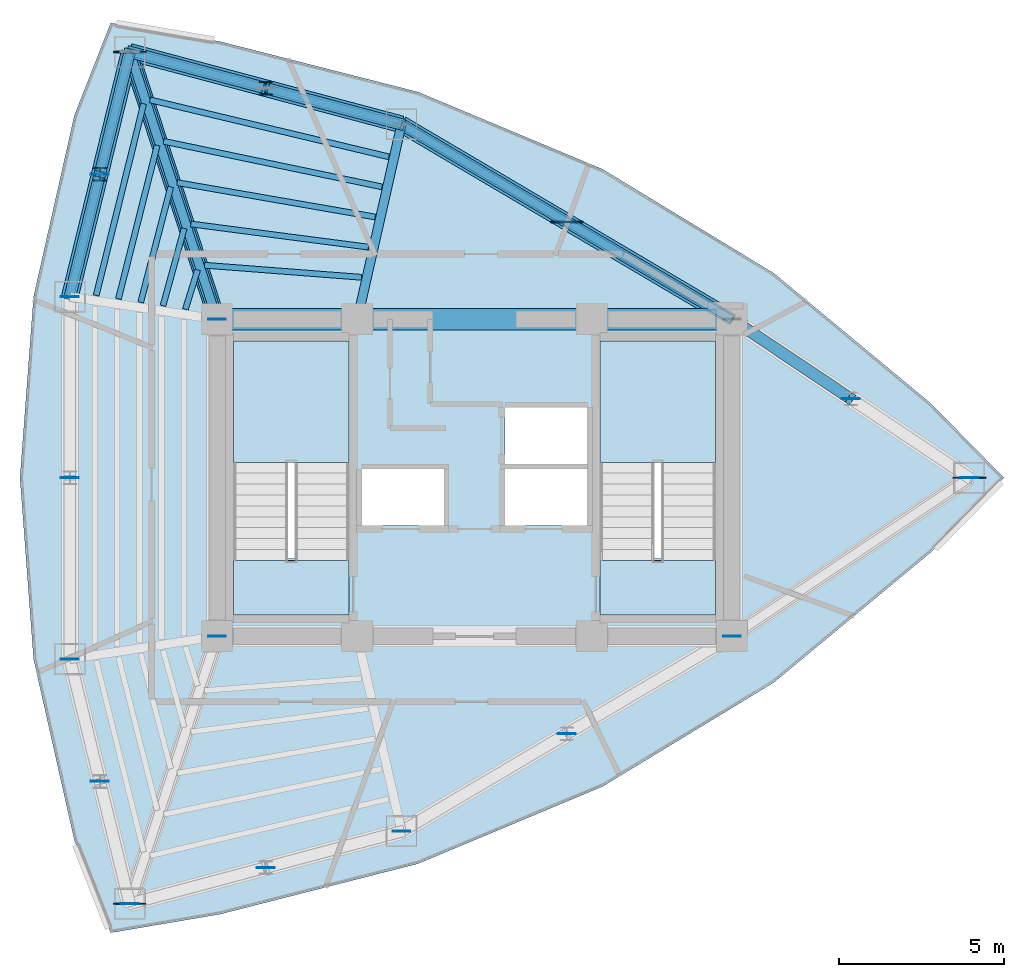
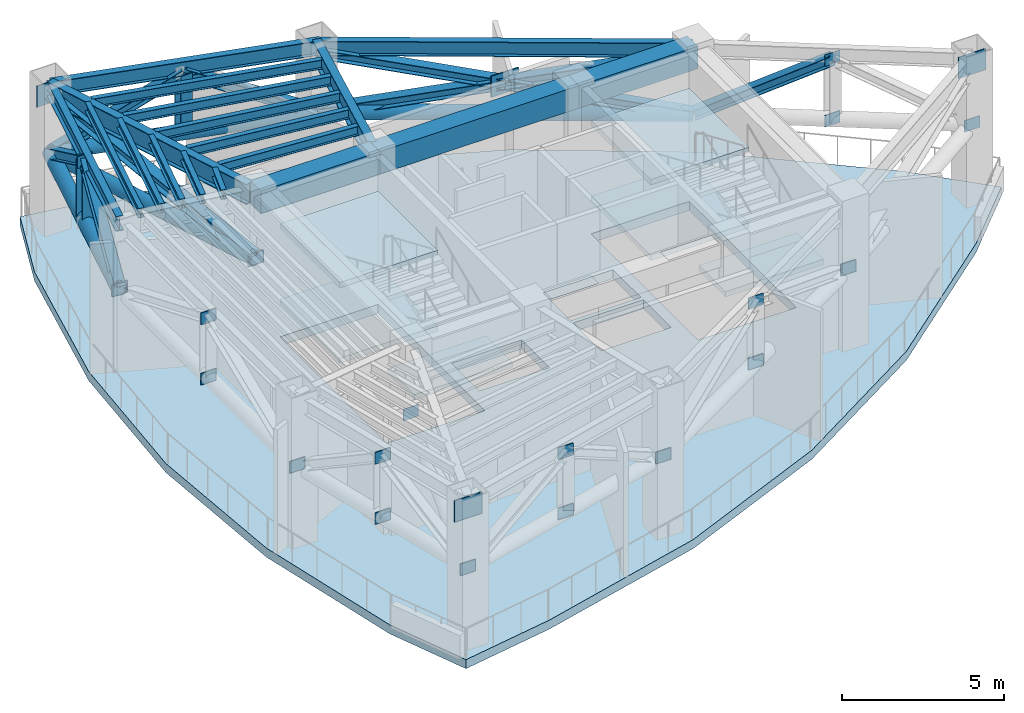
# One storey, part 2 of 6: 23 plates, 18 beams, 15 members, 7 slabs, 2 elements without a shape of their own.
"""IFC4 building model written with IfcOpenShell, lengths in metres."""

from ifc_helpers import new_model, si_unit, direction, frame, origin, origin_2d, place, context, subcontext, project, spatial, polyline, rectangle, hollow_circle, i_section, outline, extrude, material, layer, layer_set, material_profile, profile_set, type_object, element, aggregate, save


model = new_model("IFC4")

# Units and contexts
model_context = context("Model", 3, precision=1e-05, world=origin(), true_north=direction((0.0, 1.0)))
body_context = subcontext(model_context, "Body", "Model", "MODEL_VIEW")
ifc_project = project(units=[si_unit("LENGTHUNIT", "METRE"), si_unit("AREAUNIT", "SQUARE_METRE"), si_unit("VOLUMEUNIT", "CUBIC_METRE"), si_unit("PLANEANGLEUNIT", "RADIAN"), si_unit("MASSUNIT", "GRAM", prefix="KILO")], contexts=[model_context])

# Site, building, storey
site_placement = place(None, origin())
site = spatial("IfcSite", under=ifc_project, at=site_placement, CompositionType="ELEMENT")
building_placement = place(site_placement, origin())
building = spatial("IfcBuilding", under=site, at=building_placement, Name="Menara Vayukalpa", CompositionType="ELEMENT")
storey_placement = place(building_placement, frame((0.0, 0.0, 213.840087890625)))
storey = spatial("IfcBuildingStorey", under=building, at=storey_placement, Name="L54", CompositionType="ELEMENT", Elevation=213.840087890625)

# Beams
ifc_material_1 = material(Name="Concrete C60/75", Category="concrete")
ifc_material_profile_1 = material_profile(ifc_material_1, rectangle(XDim=0.64990234375, YDim=0.85009765625, at=origin_2d()), Name="RC 650x850")
ifc_profile_set_1 = profile_set([ifc_material_profile_1], Name="Concrete C60/75")
beam_type_1 = type_object("IfcBeamType", Name="BM-CB1", PredefinedType="BEAM", material=ifc_profile_set_1)
beam_1_placement = place(storey_placement, frame((17.800048828125, 26.800048828125, 5.054931640625), z_axis=(1.0, 0.0, 0.0), x_axis=(0.0, 1.0, 0.0)))
element("IfcBeam", 1, at=beam_1_placement, inside=storey, type_object=beam_type_1, Name="L54 Core Tie Beam CBR4", PredefinedType="BEAM", context=body_context, shape_type="SweptSolid", body=[
    extrude(rectangle(XDim=0.64990234375, YDim=0.85009765625, at=origin_2d()), origin(), (0.0, 0.0, 1.0), 4.25),
])
beam_2_placement = place(storey_placement, frame((22.050048828125, 26.800048828125, 5.054931640625), z_axis=(1.0, 0.0, 0.0), x_axis=(0.0, 1.0, 0.0)))
element("IfcBeam", 2, at=beam_2_placement, inside=storey, type_object=beam_type_1, Name="L54 Core Tie Beam CBR5", PredefinedType="BEAM", context=body_context, shape_type="SweptSolid", body=[
    extrude(rectangle(XDim=0.64990234375, YDim=0.85009765625, at=origin_2d()), origin(), (0.0, 0.0, 1.0), 7.099853515625),
])
beam_3_placement = place(storey_placement, frame((29.14990234375, 26.800048828125, 5.054931640625), z_axis=(1.0, 0.0, 0.0), x_axis=(0.0, 1.0, 0.0)))
element("IfcBeam", 3, at=beam_3_placement, inside=storey, type_object=beam_type_1, Name="L54 Core Tie Beam CBR6", PredefinedType="BEAM", context=body_context, shape_type="SweptSolid", body=[
    extrude(rectangle(XDim=0.64990234375, YDim=0.85009765625, at=origin_2d()), origin(), (0.0, 0.0, 1.0), 4.25),
])
ifc_material_2 = material(Name="Steel S355", Category="steel")
ifc_material_profile_2 = material_profile(ifc_material_2, i_section(OverallWidth=0.280029296875, OverallDepth=0.75, WebThickness=0.013916015625, FlangeThickness=0.02490234375, at=origin_2d()), Name="WF 750x280x14x25")
ifc_profile_set_2 = profile_set([ifc_material_profile_2], Name="Steel S355")
beam_type_2 = type_object("IfcBeamType", Name="BM-PG4", PredefinedType="BEAM", material=ifc_profile_set_2)
beam_4_placement = place(storey_placement, frame((22.105224609375, 27.043701171875, 5.10498046875), z_axis=(0.221085149161, 0.975254508741, 0.0), x_axis=(-0.975254508741, 0.221085149161, 0.0)))
element("IfcBeam", 4, at=beam_4_placement, inside=storey, type_object=beam_type_2, Name="L54 Primary Radial Girder RG03", PredefinedType="BEAM", context=body_context, shape_type="SweptSolid", body=[
    extrude(i_section(OverallWidth=0.280029296875, OverallDepth=0.75, WebThickness=0.013916015625, FlangeThickness=0.02490234375, at=origin_2d()), origin(), (0.0, 0.0, 1.0), 5.80859375),
])
beam_5_placement = place(storey_placement, frame((17.722412109375, 27.03759765625, 5.10498046875), z_axis=(-0.310343552153, 0.950624468251, 0.0), x_axis=(-0.950624468251, -0.310343552153, 0.0)))
element("IfcBeam", 5, at=beam_5_placement, inside=storey, type_object=beam_type_2, Name="L54 Primary Radial Girder RG04", PredefinedType="BEAM", context=body_context, shape_type="SweptSolid", body=[
    extrude(i_section(OverallWidth=0.280029296875, OverallDepth=0.75, WebThickness=0.013916015625, FlangeThickness=0.02490234375, at=origin_2d()), origin(), (0.0, 0.0, 1.0), 8.2734375),
])
ifc_material_3 = material(Name="Steel S355", Category="steel")
ifc_material_profile_3 = material_profile(ifc_material_3, i_section(OverallWidth=0.175048828125, OverallDepth=0.35009765625, WebThickness=0.007080078125, FlangeThickness=0.010986328125, at=origin_2d()), Name="WF 350x175x7x11")
ifc_profile_set_3 = profile_set([ifc_material_profile_3], Name="Steel S355")
beam_type_3 = type_object("IfcBeamType", Name="BM-SJ3", PredefinedType="JOIST", material=ifc_profile_set_3)
beam_6_placement = place(storey_placement, frame((22.177001953125, 28.07568359375, 5.304931640625), z_axis=(-0.997061705182, 0.076602585202, 0.0), x_axis=(-0.076602585202, -0.997061705182, 0.0)))
element("IfcBeam", 6, at=beam_6_placement, inside=storey, type_object=beam_type_3, Name="L54 Secondary Floor Joist SJ03-1", PredefinedType="JOIST", context=body_context, shape_type="SweptSolid", body=[
    extrude(i_section(OverallWidth=0.175048828125, OverallDepth=0.35009765625, WebThickness=0.007080078125, FlangeThickness=0.010986328125, at=origin_2d()), origin(), (0.0, 0.0, 1.0), 4.77099609375),
])
beam_7_placement = place(storey_placement, frame((22.38330078125, 28.990478515625, 5.304931640625), z_axis=(-0.99161070493, 0.129260240866, 0.0), x_axis=(-0.129260240866, -0.99161070493, 0.0)))
element("IfcBeam", 7, at=beam_7_placement, inside=storey, type_object=beam_type_3, Name="L54 Secondary Floor Joist SJ03-2", PredefinedType="JOIST", context=body_context, shape_type="SweptSolid", body=[
    extrude(i_section(OverallWidth=0.175048828125, OverallDepth=0.35009765625, WebThickness=0.007080078125, FlangeThickness=0.010986328125, at=origin_2d()), origin(), (0.0, 0.0, 1.0), 5.420654296875),
])
beam_8_placement = place(storey_placement, frame((22.589599609375, 29.9033203125, 5.304931640625), z_axis=(-0.985288833054, 0.170897382832, 0.0), x_axis=(-0.170897382832, -0.985288833054, 0.0)))
element("IfcBeam", 8, at=beam_8_placement, inside=storey, type_object=beam_type_3, Name="L54 Secondary Floor Joist SJ03-3", PredefinedType="JOIST", context=body_context, shape_type="SweptSolid", body=[
    extrude(i_section(OverallWidth=0.175048828125, OverallDepth=0.35009765625, WebThickness=0.007080078125, FlangeThickness=0.010986328125, at=origin_2d()), origin(), (0.0, 0.0, 1.0), 6.0830078125),
])
beam_9_placement = place(storey_placement, frame((22.796142578125, 30.815185546875, 5.304931640625), z_axis=(-0.97888709748, 0.204401688806, 0.0), x_axis=(-0.204401688806, -0.97888709748, 0.0)))
element("IfcBeam", 9, at=beam_9_placement, inside=storey, type_object=beam_type_3, Name="L54 Secondary Floor Joist SJ03-4", PredefinedType="JOIST", context=body_context, shape_type="SweptSolid", body=[
    extrude(i_section(OverallWidth=0.175048828125, OverallDepth=0.35009765625, WebThickness=0.007080078125, FlangeThickness=0.010986328125, at=origin_2d()), origin(), (0.0, 0.0, 1.0), 6.75439453125),
])
beam_10_placement = place(storey_placement, frame((23.002685546875, 31.725830078125, 5.304931640625), z_axis=(-0.972731800574, 0.231932844055, 0.0), x_axis=(-0.231932844055, -0.972731800574, 0.0)))
element("IfcBeam", 10, at=beam_10_placement, inside=storey, type_object=beam_type_3, Name="L54 Secondary Floor Joist SJ03-5", PredefinedType="JOIST", context=body_context, shape_type="SweptSolid", body=[
    extrude(i_section(OverallWidth=0.175048828125, OverallDepth=0.35009765625, WebThickness=0.007080078125, FlangeThickness=0.010986328125, at=origin_2d()), origin(), (0.0, 0.0, 1.0), 7.4326171875),
])
beam_11_placement = place(storey_placement, frame((17.212890625, 28.300537109375, 5.304931640625), z_axis=(-0.296448419226, -0.955048865105, 0.0), x_axis=(0.955048865105, -0.296448419226, 0.0)))
element("IfcBeam", 11, at=beam_11_placement, inside=storey, type_object=beam_type_3, Name="L54 Secondary Floor Joist SJ04-1", PredefinedType="JOIST", context=body_context, shape_type="SweptSolid", body=[
    extrude(i_section(OverallWidth=0.175048828125, OverallDepth=0.35009765625, WebThickness=0.007080078125, FlangeThickness=0.010986328125, at=origin_2d()), origin(), (0.0, 0.0, 1.0), 1.24853515625),
])
beam_12_placement = place(storey_placement, frame((16.80712890625, 29.5576171875, 5.304931640625), z_axis=(-0.264502665082, -0.964384954344, 0.0), x_axis=(0.964384954344, -0.264502665082, 0.0)))
element("IfcBeam", 12, at=beam_12_placement, inside=storey, type_object=beam_type_3, Name="L54 Secondary Floor Joist SJ04-2", PredefinedType="JOIST", context=body_context, shape_type="SweptSolid", body=[
    extrude(i_section(OverallWidth=0.175048828125, OverallDepth=0.35009765625, WebThickness=0.007080078125, FlangeThickness=0.010986328125, at=origin_2d()), origin(), (0.0, 0.0, 1.0), 2.430419921875),
])
beam_13_placement = place(storey_placement, frame((16.398193359375, 30.815185546875, 5.304931640625), z_axis=(-0.251714869346, -0.967801438597, 0.0), x_axis=(0.967801438597, -0.251714869346, 0.0)))
element("IfcBeam", 13, at=beam_13_placement, inside=storey, type_object=beam_type_3, Name="L54 Secondary Floor Joist SJ04-3", PredefinedType="JOIST", context=body_context, shape_type="SweptSolid", body=[
    extrude(i_section(OverallWidth=0.175048828125, OverallDepth=0.35009765625, WebThickness=0.007080078125, FlangeThickness=0.010986328125, at=origin_2d()), origin(), (0.0, 0.0, 1.0), 3.61279296875),
])
beam_14_placement = place(storey_placement, frame((15.988525390625, 32.073486328125, 5.304931640625), z_axis=(-0.24483447751, -0.969564891393, 0.0), x_axis=(0.969564891393, -0.24483447751, 0.0)))
element("IfcBeam", 14, at=beam_14_placement, inside=storey, type_object=beam_type_3, Name="L54 Secondary Floor Joist SJ04-4", PredefinedType="JOIST", context=body_context, shape_type="SweptSolid", body=[
    extrude(i_section(OverallWidth=0.175048828125, OverallDepth=0.35009765625, WebThickness=0.007080078125, FlangeThickness=0.010986328125, at=origin_2d()), origin(), (0.0, 0.0, 1.0), 4.79638671875),
])
beam_15_placement = place(storey_placement, frame((15.57861328125, 33.33154296875, 5.304931640625), z_axis=(-0.240556182956, -0.970635216156, 0.0), x_axis=(0.970635216156, -0.240556182956, 0.0)))
element("IfcBeam", 15, at=beam_15_placement, inside=storey, type_object=beam_type_3, Name="L54 Secondary Floor Joist SJ04-5", PredefinedType="JOIST", context=body_context, shape_type="SweptSolid", body=[
    extrude(i_section(OverallWidth=0.175048828125, OverallDepth=0.35009765625, WebThickness=0.007080078125, FlangeThickness=0.010986328125, at=origin_2d()), origin(), (0.0, 0.0, 1.0), 5.979736328125),
])
ifc_material_4 = material(Name="Steel S355", Category="steel")
ifc_material_profile_4 = material_profile(ifc_material_4, i_section(OverallWidth=0.239990234375, OverallDepth=0.550048828125, WebThickness=0.010986328125, FlangeThickness=0.01904296875, at=origin_2d()), Name="WF 550x240x11x19")
ifc_profile_set_4 = profile_set([ifc_material_profile_4], Name="Steel S355")
beam_type_4 = type_object("IfcBeamType", Name="BM-SP2", PredefinedType="SPANDREL", material=ifc_profile_set_4)
beam_16_placement = place(storey_placement, frame((33.39990234375, 26.800048828125, 5.204833984375), z_axis=(-0.861184403346, 0.508292655302, 0.0), x_axis=(-0.508292655302, -0.861184403346, 0.0)))
element("IfcBeam", 16, at=beam_16_placement, inside=storey, type_object=beam_type_4, Name="L54 Perimeter Spandrel Beam SP02", PredefinedType="SPANDREL", context=body_context, shape_type="SweptSolid", body=[
    extrude(i_section(OverallWidth=0.239990234375, OverallDepth=0.550048828125, WebThickness=0.010986328125, FlangeThickness=0.01904296875, at=origin_2d()), origin(), (0.0, 0.0, 1.0), 11.6240234375),
])
beam_17_placement = place(storey_placement, frame((23.389404296875, 32.70849609375, 5.204833984375), z_axis=(-0.966287699272, 0.25746472037, 0.0), x_axis=(-0.25746472037, -0.966287699272, 0.0)))
element("IfcBeam", 17, at=beam_17_placement, inside=storey, type_object=beam_type_4, Name="L54 Perimeter Spandrel Beam SP03", PredefinedType="SPANDREL", context=body_context, shape_type="SweptSolid", body=[
    extrude(i_section(OverallWidth=0.239990234375, OverallDepth=0.550048828125, WebThickness=0.010986328125, FlangeThickness=0.01904296875, at=origin_2d()), origin(), (0.0, 0.0, 1.0), 8.52197265625),
])
beam_18_placement = place(storey_placement, frame((15.15478515625, 34.902587890625, 5.204833984375), z_axis=(-0.237285374413, -0.971439988414, 0.0), x_axis=(0.971439988414, -0.237285374413, 0.0)))
element("IfcBeam", 18, at=beam_18_placement, inside=storey, type_object=beam_type_4, Name="L54 Perimeter Spandrel Beam SP04", PredefinedType="SPANDREL", context=body_context, shape_type="SweptSolid", body=[
    extrude(i_section(OverallWidth=0.239990234375, OverallDepth=0.550048828125, WebThickness=0.010986328125, FlangeThickness=0.01904296875, at=origin_2d()), origin(), (0.0, 0.0, 1.0), 7.63134765625),
])

# Members
ifc_material_5 = material(Name="Steel S355", Category="steel")
ifc_material_profile_5 = material_profile(ifc_material_5, i_section(OverallWidth=0.35009765625, OverallDepth=0.35009765625, WebThickness=0.011962890625, FlangeThickness=0.01904296875, at=origin_2d()), Name="H 350x350x12x19")
ifc_profile_set_5 = profile_set([ifc_material_profile_5], Name="Steel S355")
member_type_1 = type_object("IfcMemberType", Name="MEM-BT1", PredefinedType="BRACE", material=ifc_profile_set_5)
member_1_placement = place(storey_placement, frame((33.39990234375, 26.800048828125, 2.75), z_axis=(0.73563771108, -0.491107859407, 0.466529986675), x_axis=(0.555234449859, 0.831693877391, 0.0)))
element("IfcMember", 19, at=member_1_placement, inside=storey, type_object=member_type_1, Name="L54 Belt Truss Diagonal B01", PredefinedType="BRACE", context=body_context, shape_type="SweptSolid", body=[
    extrude(i_section(OverallWidth=0.35009765625, OverallDepth=0.35009765625, WebThickness=0.011962890625, FlangeThickness=0.01904296875, at=origin_2d()), origin(), (0.0, 0.0, 1.0), 4.88720703125),
])
member_2_placement = place(storey_placement, frame((33.39990234375, 26.800048828125, 2.75), z_axis=(-0.845081208515, 0.498788145435, 0.192478926087), x_axis=(-0.508292655302, -0.861184403346, 0.0)))
element("IfcMember", 20, at=member_2_placement, inside=storey, type_object=member_type_1, Name="L54 Belt X-Brace Continuous Diagonal 02", PredefinedType="BRACE", context=body_context, shape_type="SweptSolid", body=[
    extrude(i_section(OverallWidth=0.35009765625, OverallDepth=0.35009765625, WebThickness=0.011962890625, FlangeThickness=0.01904296875, at=origin_2d()), origin(), (0.0, 0.0, 1.0), 11.845703125),
])
member_3_placement = place(storey_placement, frame((23.389404296875, 32.70849609375, 2.75), z_axis=(0.845081764298, -0.498796918826, 0.192453748781), x_axis=(0.508299038007, 0.861180636081, 0.0)))
element("IfcMember", 21, at=member_3_placement, inside=storey, type_object=member_type_1, Name="L54 Belt X-Brace Split Lower Diagonal 02A", PredefinedType="BRACE", context=body_context, shape_type="SweptSolid", body=[
    extrude(i_section(OverallWidth=0.35009765625, OverallDepth=0.35009765625, WebThickness=0.011962890625, FlangeThickness=0.01904296875, at=origin_2d()), origin(), (0.0, 0.0, 1.0), 5.9228515625),
])
member_4_placement = place(storey_placement, frame((28.394775390625, 29.754150390625, 3.889892578125), z_axis=(0.845080652105, -0.498779371273, 0.19250410445), x_axis=(0.508286272203, 0.861188170779, 0.0)))
element("IfcMember", 22, at=member_4_placement, inside=storey, type_object=member_type_1, Name="L54 Belt X-Brace Split Upper Diagonal 02B", PredefinedType="BRACE", context=body_context, shape_type="SweptSolid", body=[
    extrude(i_section(OverallWidth=0.35009765625, OverallDepth=0.35009765625, WebThickness=0.011962890625, FlangeThickness=0.01904296875, at=origin_2d()), origin(), (0.0, 0.0, 1.0), 5.922607421875),
])
member_5_placement = place(storey_placement, frame((23.389404296875, 32.70849609375, 2.75), z_axis=(-0.851979662485, 0.226989126159, 0.471812029646), x_axis=(-0.25744509745, -0.966292927532, 0.0)))
element("IfcMember", 23, at=member_5_placement, inside=storey, type_object=member_type_1, Name="L54 Belt Truss Diagonal A03", PredefinedType="BRACE", context=body_context, shape_type="SweptSolid", body=[
    extrude(i_section(OverallWidth=0.35009765625, OverallDepth=0.35009765625, WebThickness=0.011962890625, FlangeThickness=0.01904296875, at=origin_2d()), origin(), (0.0, 0.0, 1.0), 4.83251953125),
])
member_6_placement = place(storey_placement, frame((15.15478515625, 34.902587890625, 2.75), z_axis=(0.851983740415, -0.227027271238, 0.471786311992), x_axis=(0.257484341808, 0.96628247098, 0.0)))
element("IfcMember", 24, at=member_6_placement, inside=storey, type_object=member_type_1, Name="L54 Belt Truss Diagonal B03", PredefinedType="BRACE", context=body_context, shape_type="SweptSolid", body=[
    extrude(i_section(OverallWidth=0.35009765625, OverallDepth=0.35009765625, WebThickness=0.011962890625, FlangeThickness=0.01904296875, at=origin_2d()), origin(), (0.0, 0.0, 1.0), 4.832763671875),
])
member_7_placement = place(storey_placement, frame((15.15478515625, 34.902587890625, 2.75), z_axis=(-0.203659523443, -0.833916543806, 0.512938589383), x_axis=(0.971449163216, -0.237247809867, 0.0)))
element("IfcMember", 25, at=member_7_placement, inside=storey, type_object=member_type_1, Name="L54 Belt Truss Diagonal A04", PredefinedType="BRACE", context=body_context, shape_type="SweptSolid", body=[
    extrude(i_section(OverallWidth=0.35009765625, OverallDepth=0.35009765625, WebThickness=0.011962890625, FlangeThickness=0.01904296875, at=origin_2d()), origin(), (0.0, 0.0, 1.0), 4.445068359375),
])
member_8_placement = place(storey_placement, frame((13.343994140625, 27.4892578125, 2.75), z_axis=(0.203721499427, 0.83389048377, 0.512956344877), x_axis=(-0.971430811728, 0.23732294037, 0.0)))
element("IfcMember", 26, at=member_8_placement, inside=storey, type_object=member_type_1, Name="L54 Belt Truss Diagonal B04", PredefinedType="BRACE", context=body_context, shape_type="SweptSolid", body=[
    extrude(i_section(OverallWidth=0.35009765625, OverallDepth=0.35009765625, WebThickness=0.011962890625, FlangeThickness=0.01904296875, at=origin_2d()), origin(), (0.0, 0.0, 1.0), 4.44482421875),
])
ifc_material_6 = material(Name="Steel S460", Category="steel")
ifc_material_profile_6 = material_profile(ifc_material_6, hollow_circle(Radius=0.25390625, WallThickness=0.02490234375, at=origin_2d()), Name="CHS 508.0x25")
ifc_profile_set_6 = profile_set([ifc_material_profile_6], Name="Steel S460")
member_type_2 = type_object("IfcMemberType", Name="MEM-CH1", PredefinedType="CHORD", material=ifc_profile_set_6)
member_9_placement = place(storey_placement, frame((17.800048828125, 26.800048828125, 2.75), z_axis=(-0.310352655001, 0.950621496461, 0.0), x_axis=(-0.950621496461, -0.310352655001, 0.0)))
element("IfcMember", 27, at=member_9_placement, inside=storey, type_object=member_type_2, Name="L54 Outrigger Bottom Chord 04", PredefinedType="CHORD", context=body_context, shape_type="SweptSolid", body=[
    extrude(hollow_circle(Radius=0.25390625, WallThickness=0.02490234375, at=origin_2d()), origin(), (0.0, 0.0, 1.0), 8.5234375),
])
member_10_placement = place(storey_placement, frame((33.39990234375, 26.800048828125, 2.75), z_axis=(-0.861184403346, 0.508292655302, 0.0), x_axis=(-0.508292655302, -0.861184403346, 0.0)))
element("IfcMember", 28, at=member_10_placement, inside=storey, type_object=member_type_2, Name="L54 Belt Truss Bottom Chord 02", PredefinedType="CHORD", context=body_context, shape_type="SweptSolid", body=[
    extrude(hollow_circle(Radius=0.25390625, WallThickness=0.02490234375, at=origin_2d()), origin(), (0.0, 0.0, 1.0), 11.6240234375),
])
member_11_placement = place(storey_placement, frame((23.389404296875, 32.70849609375, 2.75), z_axis=(-0.966287699272, 0.25746472037, 0.0), x_axis=(-0.25746472037, -0.966287699272, 0.0)))
element("IfcMember", 29, at=member_11_placement, inside=storey, type_object=member_type_2, Name="L54 Belt Truss Bottom Chord 03", PredefinedType="CHORD", context=body_context, shape_type="SweptSolid", body=[
    extrude(hollow_circle(Radius=0.25390625, WallThickness=0.02490234375, at=origin_2d()), origin(), (0.0, 0.0, 1.0), 8.52197265625),
])
member_12_placement = place(storey_placement, frame((15.15478515625, 34.902587890625, 2.75), z_axis=(-0.237285374413, -0.971439988414, 0.0), x_axis=(0.971439988414, -0.237285374413, 0.0)))
element("IfcMember", 30, at=member_12_placement, inside=storey, type_object=member_type_2, Name="L54 Belt Truss Bottom Chord 04", PredefinedType="CHORD", context=body_context, shape_type="SweptSolid", body=[
    extrude(hollow_circle(Radius=0.25390625, WallThickness=0.02490234375, at=origin_2d()), origin(), (0.0, 0.0, 1.0), 7.63134765625),
])
ifc_material_7 = material(Name="Steel S460", Category="steel")
ifc_material_profile_7 = material_profile(ifc_material_7, i_section(OverallWidth=0.39990234375, OverallDepth=0.39990234375, WebThickness=0.012939453125, FlangeThickness=0.02099609375, at=origin_2d()), Name="H 400x400x13x21")
ifc_profile_set_7 = profile_set([ifc_material_profile_7], Name="Steel S460")
member_type_3 = type_object("IfcMemberType", Name="MEM-OT3", PredefinedType="BRACE", material=ifc_profile_set_7)
member_13_placement = place(storey_placement, frame((17.800048828125, 26.800048828125, 2.75), z_axis=(-0.299811141948, 0.918332457682, 0.258415897984), x_axis=(-0.950621496461, -0.310352655001, 0.0)))
element("IfcMember", 31, at=member_13_placement, inside=storey, type_object=member_type_3, Name="L54 Outrigger Truss Diagonal 04", PredefinedType="BRACE", context=body_context, shape_type="SweptSolid", body=[
    extrude(i_section(OverallWidth=0.39990234375, OverallDepth=0.39990234375, WebThickness=0.012939453125, FlangeThickness=0.02099609375, at=origin_2d()), origin(), (0.0, 0.0, 1.0), 8.822998046875),
])
ifc_material_8 = material(Name="Steel S355", Category="steel")
ifc_material_profile_8 = material_profile(ifc_material_8, i_section(OverallWidth=0.39990234375, OverallDepth=0.39990234375, WebThickness=0.012939453125, FlangeThickness=0.02099609375, at=origin_2d()), Name="H 400x400x13x21")
ifc_profile_set_8 = profile_set([ifc_material_profile_8], Name="Steel S355")
member_type_4 = type_object("IfcMemberType", Name="MEM-ST1", PredefinedType="STRUT", material=ifc_profile_set_8)
for number, where, z_axis, x_axis, name in (
    (32, (19.272216796875, 33.805419921875, 2.75), (0.0, 0.0, 1.0), (1.0, 0.0, 0.0), "L54 Belt Truss Vertical Strut 03"),
    (33, (14.24951171875, 31.19580078125, 2.75), (0.0, 0.0, 1.0), (1.0, 0.0, 0.0), "L54 Belt Truss Vertical Strut 04"),
):
    element("IfcMember", number, at=place(storey_placement, frame(where, z_axis=z_axis, x_axis=x_axis)), inside=storey, type_object=member_type_4, Name=name, PredefinedType="STRUT", context=body_context, shape_type="SweptSolid", body=[
        extrude(i_section(OverallWidth=0.39990234375, OverallDepth=0.39990234375, WebThickness=0.012939453125, FlangeThickness=0.02099609375, at=origin_2d()), origin(), (0.0, 0.0, 1.0), 2.280029296875),
    ])

# Plates
ifc_material_9 = material(Name="Steel S355", Category="steel")
ifc_layer_1 = layer(ifc_material_9, 0.028076171875)
ifc_layer_set_1 = layer_set([ifc_layer_1], Name="Steel S355")
plate_type_1 = type_object("IfcPlateType", Name="PLT-END1", PredefinedType="USERDEFINED", material=ifc_layer_set_1)
for number, where, z_axis, x_axis, name in (
    (34, (33.39990234375, 17.199951171875, 2.530029296875), (0.0, 0.0, 1.0), (1.0, 0.0, 0.0), "L54 Structural Brace End Gusset Plate 072"),
    (35, (40.590576171875, 22.0, 2.530029296875), (0.0, 0.0, 1.0), (1.0, 0.0, 0.0), "L54 Structural Brace End Gusset Plate 073"),
    (36, (17.800048828125, 26.800048828125, 2.530029296875), (0.0, 0.0, 1.0), (1.0, 0.0, 0.0), "L54 Structural Brace End Gusset Plate 074"),
    (37, (17.800048828125, 17.199951171875, 2.530029296875), (0.0, 0.0, 1.0), (1.0, 0.0, 0.0), "L54 Structural Brace End Gusset Plate 076"),
    (38, (15.15478515625, 9.097412109375, 2.530029296875), (0.0, 0.0, 1.0), (1.0, 0.0, 0.0), "L54 Structural Brace End Gusset Plate 077"),
    (39, (36.9951171875, 24.39990234375, 4.81005859375), (0.0, 0.0, 1.0), (1.0, 0.0, 0.0), "L54 Structural Brace End Gusset Plate 079"),
    (40, (36.9951171875, 24.39990234375, 2.530029296875), (0.0, 0.0, 1.0), (1.0, 0.0, 0.0), "L54 Structural Brace End Gusset Plate 080"),
    (41, (13.343994140625, 27.4892578125, 2.530029296875), (0.0, 0.0, 1.0), (1.0, 0.0, 0.0), "L54 Structural Brace End Gusset Plate 086"),
    (42, (14.24951171875, 31.19580078125, 4.81005859375), (0.0, 0.0, 1.0), (1.0, 0.0, 0.0), "L54 Structural Brace End Gusset Plate 087"),
    (43, (13.343994140625, 16.5107421875, 2.530029296875), (0.0, 0.0, 1.0), (1.0, 0.0, 0.0), "L54 Structural Brace End Gusset Plate 089"),
    (44, (13.343994140625, 22.0, 4.81005859375), (0.0, 0.0, 1.0), (1.0, 0.0, 0.0), "L54 Structural Brace End Gusset Plate 090"),
    (45, (13.343994140625, 22.0, 2.530029296875), (0.0, 0.0, 1.0), (1.0, 0.0, 0.0), "L54 Structural Brace End Gusset Plate 091"),
    (46, (14.24951171875, 12.80419921875, 4.81005859375), (0.0, 0.0, 1.0), (1.0, 0.0, 0.0), "L54 Structural Brace End Gusset Plate 092"),
    (47, (14.24951171875, 12.80419921875, 2.530029296875), (0.0, 0.0, 1.0), (1.0, 0.0, 0.0), "L54 Structural Brace End Gusset Plate 093"),
    (48, (23.389404296875, 11.29150390625, 2.530029296875), (0.0, 0.0, 1.0), (1.0, 0.0, 0.0), "L54 Structural Brace End Gusset Plate 094"),
    (49, (19.272216796875, 10.194580078125, 4.81005859375), (0.0, 0.0, 1.0), (1.0, 0.0, 0.0), "L54 Structural Brace End Gusset Plate 095"),
    (50, (19.272216796875, 10.194580078125, 2.530029296875), (0.0, 0.0, 1.0), (1.0, 0.0, 0.0), "L54 Structural Brace End Gusset Plate 096"),
    (51, (28.394775390625, 14.245849609375, 4.81005859375), (0.0, 0.0, 1.0), (1.0, 0.0, 0.0), "L54 Structural Brace End Gusset Plate 097"),
    (52, (28.394775390625, 14.245849609375, 2.530029296875), (0.0, 0.0, 1.0), (1.0, 0.0, 0.0), "L54 Structural Brace End Gusset Plate 098"),
):
    element("IfcPlate", number, at=place(storey_placement, frame(where, z_axis=z_axis, x_axis=x_axis)), inside=storey, type_object=plate_type_1, Name=name, ObjectType="GUSSET_PLATE", PredefinedType="USERDEFINED", context=body_context, shape_type="SweptSolid", body=[
        extrude(rectangle(XDim=0.5400390625, YDim=0.028076171875, at=origin_2d()), origin(), (0.0, 0.0, 1.0), 0.43994140625),
    ])
ifc_material_10 = material(Name="Steel S355", Category="steel")
ifc_layer_2 = layer(ifc_material_10, 0.0380859375)
ifc_layer_set_2 = layer_set([ifc_layer_2], Name="Steel S355")
plate_type_2 = type_object("IfcPlateType", Name="PLT-OTN2", PredefinedType="USERDEFINED", material=ifc_layer_set_2)
for number, where, z_axis, x_axis, name in (
    (53, (40.590576171875, 22.0, 4.6298828125), (0.0, 0.0, 1.0), (1.0, 0.0, 0.0), "L54 Outrigger Gusset Plate 01"),
    (54, (15.15478515625, 34.902587890625, 4.6298828125), (0.0, 0.0, 1.0), (1.0, 0.0, 0.0), "L54 Outrigger Gusset Plate 04"),
    (55, (15.15478515625, 9.097412109375, 4.6298828125), (0.0, 0.0, 1.0), (1.0, 0.0, 0.0), "L54 Outrigger Gusset Plate 07"),
    (56, (28.394775390625, 29.754150390625, 3.48974609375), (0.0, 0.0, 1.0), (1.0, 0.0, 0.0), "L54 Belt X-Brace Crossing Gusset Plate 02"),
):
    element("IfcPlate", number, at=place(storey_placement, frame(where, z_axis=z_axis, x_axis=x_axis)), inside=storey, type_object=plate_type_2, Name=name, ObjectType="GUSSET_PLATE", PredefinedType="USERDEFINED", context=body_context, shape_type="SweptSolid", body=[
        extrude(rectangle(XDim=0.97998046875, YDim=0.0380859375, at=origin_2d()), origin(), (0.0, 0.0, 1.0), 0.800048828125),
    ])

# Slab
ifc_material_11 = material(Name="Concrete C45/55", Category="concrete")
ifc_layer_3 = layer(ifc_material_11, 0.340087890625)
ifc_layer_set_3 = layer_set([ifc_layer_3], Name="Concrete C45/55")
slab_type_1 = type_object("IfcSlabType", Name="SLB-FL340", PredefinedType="FLOOR", material=ifc_layer_set_3)
slab_1_placement = place(storey_placement, frame((0.0, 0.0, -0.340087890625)))
element("IfcSlab", 57, at=slab_1_placement, inside=storey, type_object=slab_type_1, Name="L54 Structural Floor Slab", PredefinedType="FLOOR", context=body_context, shape_type="SweptSolid", body=[
    extrude(outline(polyline([(39.439208984375, 19.7578125), (41.640380859375, 22.0), (39.439208984375, 24.2421875), (34.667236328125, 28.19921875), (29.48388671875, 31.34814453125), (23.888671875, 33.688720703125), (17.881591796875, 35.220703125), (14.579833984375, 35.781005859375), (13.47900390625, 32.978515625), (12.243896484375, 27.4892578125), (11.832275390625, 22.0), (12.243896484375, 16.5107421875), (13.47900390625, 11.021484375), (14.579833984375, 8.218994140625), (17.881591796875, 8.779296875), (23.888671875, 10.311279296875), (29.48388671875, 12.65185546875), (34.667236328125, 15.80078125), (39.439208984375, 19.7578125)]), holes=[polyline([(21.800048828125, 19.550048828125), (21.800048828125, 26.14990234375), (18.300048828125, 26.14990234375), (18.300048828125, 19.550048828125), (21.800048828125, 19.550048828125)]), polyline([(32.89990234375, 19.550048828125), (32.89990234375, 26.14990234375), (29.39990234375, 26.14990234375), (29.39990234375, 19.550048828125), (32.89990234375, 19.550048828125)]), polyline([(22.179931640625, 20.550048828125), (24.679931640625, 20.550048828125), (24.679931640625, 22.27001953125), (22.179931640625, 22.27001953125), (22.179931640625, 20.550048828125)]), polyline([(26.52001953125, 20.550048828125), (29.02001953125, 20.550048828125), (29.02001953125, 22.27001953125), (26.52001953125, 22.27001953125), (26.52001953125, 20.550048828125)]), polyline([(26.52001953125, 22.419921875), (29.02001953125, 22.419921875), (29.02001953125, 24.139892578125), (26.52001953125, 24.139892578125), (26.52001953125, 22.419921875)])]), origin(), (0.0, 0.0, 1.0), 0.340087890625),
])

# Stair, slabs
ifc_material_12 = material(Name="Precast Concrete C40/50", Category="concrete")
stair_type = type_object("IfcStairType", Name="STR-T05", PredefinedType="DOUBLE_RETURN_STAIR", material=ifc_material_12)
stair_1_placement = place(storey_placement, origin())
stair_1 = element("IfcStair", 58, at=stair_1_placement, inside=storey, type_object=stair_type, Name="L54 Core Exit Stair ST-1", PredefinedType="DOUBLE_RETURN_STAIR")
ifc_material_13 = material(Name="Precast Concrete C40/50", Category="concrete")
ifc_layer_4 = layer(ifc_material_13, 0.199951171875)
ifc_layer_set_4 = layer_set([ifc_layer_4], Name="Precast Concrete C40/50")
slab_type_2 = type_object("IfcSlabType", Name="SLB-LND200", PredefinedType="LANDING", material=ifc_layer_set_4)
slab_2_placement = place(storey_placement, frame((0.0, 0.0, 1.224853515625)))
slab_2 = element("IfcSlab", 59, at=slab_2_placement, type_object=slab_type_2, Name="ST-1 landing 1", PredefinedType="LANDING", context=body_context, shape_type="SweptSolid", body=[
    extrude(outline(polyline([(21.800048828125, 22.469970703125), (21.800048828125, 26.14990234375), (18.300048828125, 26.14990234375), (18.300048828125, 22.469970703125), (21.800048828125, 22.469970703125)])), origin(), (0.0, 0.0, 1.0), 0.199951171875),
])
slab_3_placement = place(storey_placement, frame((0.0, 0.0, 2.64990234375)))
slab_3 = element("IfcSlab", 60, at=slab_3_placement, type_object=slab_type_2, Name="ST-1 landing 2", PredefinedType="LANDING", context=body_context, shape_type="SweptSolid", body=[
    extrude(outline(polyline([(21.800048828125, 17.85009765625), (21.800048828125, 19.5), (18.300048828125, 19.5), (18.300048828125, 17.85009765625), (21.800048828125, 17.85009765625)])), origin(), (0.0, 0.0, 1.0), 0.199951171875),
])
slab_4_placement = place(storey_placement, frame((0.0, 0.0, 4.074951171875)))
slab_4 = element("IfcSlab", 61, at=slab_4_placement, type_object=slab_type_2, Name="ST-1 landing 3", PredefinedType="LANDING", context=body_context, shape_type="SweptSolid", body=[
    extrude(outline(polyline([(21.800048828125, 22.469970703125), (21.800048828125, 26.14990234375), (18.300048828125, 26.14990234375), (18.300048828125, 22.469970703125), (21.800048828125, 22.469970703125)])), origin(), (0.0, 0.0, 1.0), 0.199951171875),
])
aggregate(stair_1, [slab_2, slab_3, slab_4])

stair_2_placement = place(storey_placement, origin())
stair_2 = element("IfcStair", 62, at=stair_2_placement, inside=storey, type_object=stair_type, Name="L54 Core Exit Stair ST-2", PredefinedType="DOUBLE_RETURN_STAIR")
slab_5_placement = place(storey_placement, frame((0.0, 0.0, 1.224853515625)))
slab_5 = element("IfcSlab", 63, at=slab_5_placement, type_object=slab_type_2, Name="ST-2 landing 1", PredefinedType="LANDING", context=body_context, shape_type="SweptSolid", body=[
    extrude(outline(polyline([(32.89990234375, 22.469970703125), (32.89990234375, 26.14990234375), (29.39990234375, 26.14990234375), (29.39990234375, 22.469970703125), (32.89990234375, 22.469970703125)])), origin(), (0.0, 0.0, 1.0), 0.199951171875),
])
slab_6_placement = place(storey_placement, frame((0.0, 0.0, 2.64990234375)))
slab_6 = element("IfcSlab", 64, at=slab_6_placement, type_object=slab_type_2, Name="ST-2 landing 2", PredefinedType="LANDING", context=body_context, shape_type="SweptSolid", body=[
    extrude(outline(polyline([(32.89990234375, 17.85009765625), (32.89990234375, 19.5), (29.39990234375, 19.5), (29.39990234375, 17.85009765625), (32.89990234375, 17.85009765625)])), origin(), (0.0, 0.0, 1.0), 0.199951171875),
])
slab_7_placement = place(storey_placement, frame((0.0, 0.0, 4.074951171875)))
slab_7 = element("IfcSlab", 65, at=slab_7_placement, type_object=slab_type_2, Name="ST-2 landing 3", PredefinedType="LANDING", context=body_context, shape_type="SweptSolid", body=[
    extrude(outline(polyline([(32.89990234375, 22.469970703125), (32.89990234375, 26.14990234375), (29.39990234375, 26.14990234375), (29.39990234375, 22.469970703125), (32.89990234375, 22.469970703125)])), origin(), (0.0, 0.0, 1.0), 0.199951171875),
])
aggregate(stair_2, [slab_5, slab_6, slab_7])

save(model, "model.ifc")
